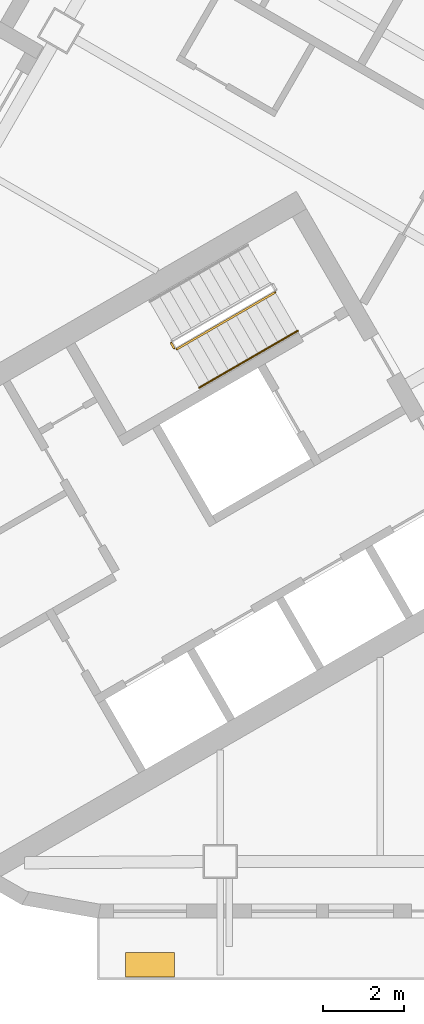
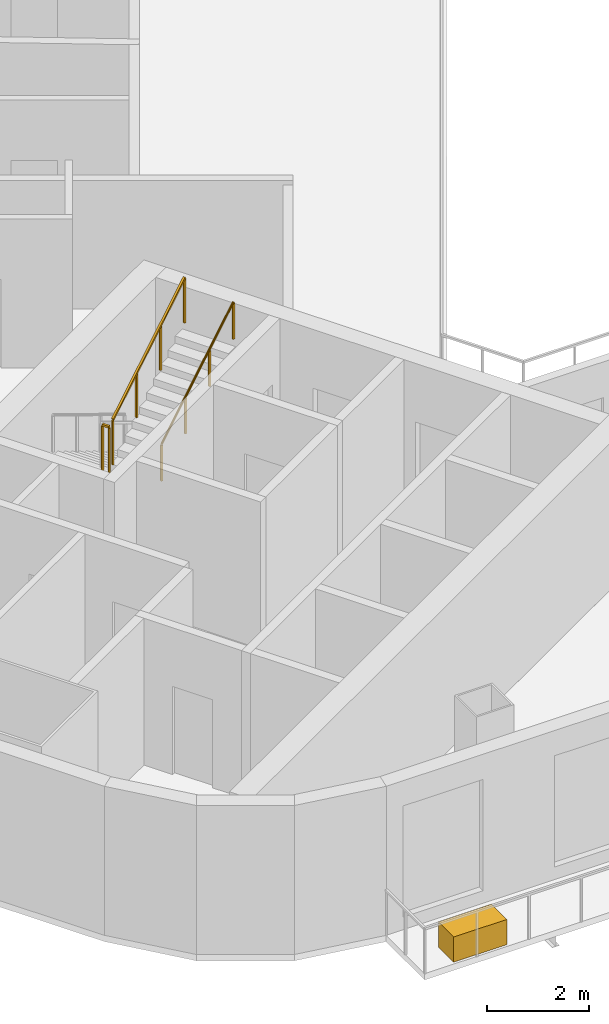
# One storey, part 9 of 14: 3 railings, 1 covering.
"""IFC4 building model written with IfcOpenShell, lengths in metres."""

from ifc_helpers import new_model, si_unit, direction, frame, origin, origin_2d, place, context, subcontext, project, spatial, rectangle, circle, extrude, material, type_object, element, save


model = new_model("IFC4")

# Units and contexts
model_context = context("Model", 3, precision=1e-05, world=origin(), true_north=direction((0.0, 1.0)))
body_context = subcontext(model_context, "Body", "Model", "MODEL_VIEW")
ifc_project = project(units=[si_unit("LENGTHUNIT", "METRE"), si_unit("AREAUNIT", "SQUARE_METRE"), si_unit("VOLUMEUNIT", "CUBIC_METRE"), si_unit("PLANEANGLEUNIT", "RADIAN"), si_unit("MASSUNIT", "GRAM", prefix="KILO")], contexts=[model_context])

# Site, building, storey
site_placement = place(None, origin())
site = spatial("IfcSite", under=ifc_project, at=site_placement, CompositionType="ELEMENT")
building_placement = place(site_placement, origin())
building = spatial("IfcBuilding", under=site, at=building_placement, Name="Apuvela Tower Hotel", CompositionType="ELEMENT")
storey_placement = place(building_placement, frame((0.0, 0.0, 179.89990234375)))
storey = spatial("IfcBuildingStorey", under=building, at=storey_placement, Name="L43", CompositionType="ELEMENT", Elevation=179.89990234375)

# Railings
ifc_material_1 = material(Name="Steel S275 balustrade", Category="steel")
railing_type_1 = type_object("IfcRailingType", Name="COR-GUARD-1100", PredefinedType="GUARDRAIL", material=ifc_material_1)
railing_1_placement = place(storey_placement, frame((-17.01220703125, -5.43408203125, 1.85009765625)))
element("IfcRailing", 1, at=railing_1_placement, inside=storey, type_object=railing_type_1, Name="L43 ST2 stair guard 2", PredefinedType="GUARDRAIL", context=body_context, shape_type="SweptSolid", body=[
    extrude(rectangle(XDim=0.048095703125, YDim=0.048095703125, at=origin_2d()), frame((0.0, 0.0, 1.076171875), z_axis=(0.499816412211, -0.866131372301, 0.0), x_axis=(0.866131372301, 0.499816412211, 0.0)), (0.0, 0.0, 1.0), 0.14990234375),
    extrude(rectangle(XDim=0.0419921875, YDim=0.0419921875, at=origin_2d()), origin(), (0.0, 0.0, 1.0), 1.052001953125),
    extrude(rectangle(XDim=0.0419921875, YDim=0.0419921875, at=origin_2d()), frame((0.074951171875, -0.1298828125, 0.0)), (0.0, 0.0, 1.0), 1.052001953125),
])
railing_2_placement = place(storey_placement, frame((-16.868896484375, -5.582275390625, 2.018310546875)))
element("IfcRailing", 2, at=railing_2_placement, inside=storey, type_object=railing_type_1, Name="L43 ST2 stair guard 3", PredefinedType="GUARDRAIL", context=body_context, shape_type="SweptSolid", body=[
    extrude(rectangle(XDim=0.048095703125, YDim=0.048095703125, at=origin_2d()), frame((0.0, 0.0, 1.076171875), z_axis=(0.742390482028, 0.42860119049, 0.514934356695), x_axis=(-0.49998411664, 0.866034573852, 0.0)), (0.0, 0.0, 1.0), 3.26611328125),
    extrude(rectangle(XDim=0.0419921875, YDim=0.0419921875, at=origin_2d()), origin(), (0.0, 0.0, 1.0), 1.052001953125),
    extrude(rectangle(XDim=0.0419921875, YDim=0.0419921875, at=origin_2d()), frame((0.808349609375, 0.466552734375, 0.560546875)), (0.0, 0.0, 1.0), 1.052001953125),
    extrude(rectangle(XDim=0.0419921875, YDim=0.0419921875, at=origin_2d()), frame((1.616455078125, 0.933349609375, 1.121337890625)), (0.0, 0.0, 1.0), 1.052001953125),
    extrude(rectangle(XDim=0.0419921875, YDim=0.0419921875, at=origin_2d()), frame((2.4248046875, 1.39990234375, 1.681884765625)), (0.0, 0.0, 1.0), 1.052001953125),
])
ifc_material_2 = material(Name="Stainless steel 316 handrail", Category="steel")
railing_type_2 = type_object("IfcRailingType", Name="COR-HANDRAIL-900", PredefinedType="HANDRAIL", material=ifc_material_2)
railing_3_placement = place(storey_placement, frame((-16.31884765625, -6.534912109375, 2.018310546875)))
element("IfcRailing", 3, at=railing_3_placement, inside=storey, type_object=railing_type_2, Name="L43 ST2 stair handrail 2", PredefinedType="HANDRAIL", context=body_context, shape_type="SweptSolid", body=[
    extrude(circle(Radius=0.02392578125, at=origin_2d()), frame((0.0, 0.0, 0.8759765625), z_axis=(0.742390482028, 0.42860119049, 0.514934356695), x_axis=(-0.49998411664, 0.866034573852, 0.0)), (0.0, 0.0, 1.0), 3.26611328125),
    extrude(rectangle(XDim=0.0419921875, YDim=0.0419921875, at=origin_2d()), origin(), (0.0, 0.0, 1.0), 0.851806640625),
    extrude(rectangle(XDim=0.0419921875, YDim=0.0419921875, at=origin_2d()), frame((0.808349609375, 0.466552734375, 0.560546875)), (0.0, 0.0, 1.0), 0.851806640625),
    extrude(rectangle(XDim=0.0419921875, YDim=0.0419921875, at=origin_2d()), frame((1.616455078125, 0.933349609375, 1.121337890625)), (0.0, 0.0, 1.0), 0.851806640625),
    extrude(rectangle(XDim=0.0419921875, YDim=0.0419921875, at=origin_2d()), frame((2.4248046875, 1.39990234375, 1.681884765625)), (0.0, 0.0, 1.0), 0.851806640625),
])

# Covering
ifc_material_3 = material(Name="Planting substrate and soil, planted")
covering_type = type_object("IfcCoveringType", Name="ENV-PLANTER-1200x600", PredefinedType="USERDEFINED", material=ifc_material_3)
covering_placement = place(storey_placement, frame((-17.53515625, -20.780029296875, 0.0), z_axis=(0.0, 0.0, 1.0), x_axis=(1.0, 0.0, 0.0)))
element("IfcCovering", 4, at=covering_placement, inside=storey, type_object=covering_type, Name="Planter S1", ObjectType="PLANTER", PredefinedType="USERDEFINED", context=body_context, shape_type="SweptSolid", body=[
    extrude(rectangle(XDim=1.199951171875, YDim=0.60009765625, at=origin_2d()), origin(), (0.0, 0.0, 1.0), 0.60009765625),
])

save(model, "model.ifc")
